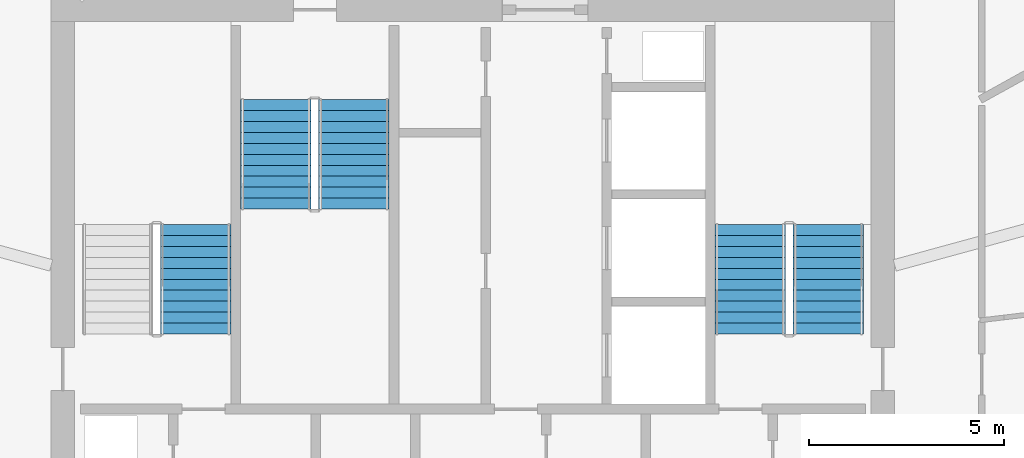
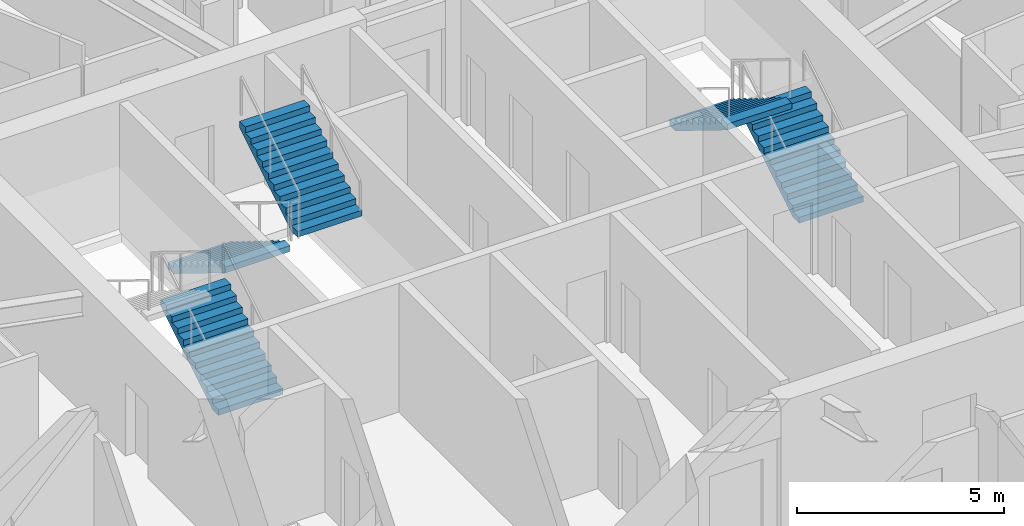
# One storey, part 23 of 26: 5 stair flights, 3 elements without a shape of their own.
"""IFC4 building model written with IfcOpenShell, lengths in metres."""

from ifc_helpers import new_model, si_unit, direction, frame, origin, place, context, subcontext, project, spatial, polyline, outline, extrude, material, type_object, element, aggregate, save


model = new_model("IFC4")

# Units and contexts
model_context = context("Model", 3, precision=1e-05, world=origin(), true_north=direction((0.0, 1.0)))
body_context = subcontext(model_context, "Body", "Model", "MODEL_VIEW")
ifc_project = project(units=[si_unit("LENGTHUNIT", "METRE"), si_unit("AREAUNIT", "SQUARE_METRE"), si_unit("VOLUMEUNIT", "CUBIC_METRE"), si_unit("PLANEANGLEUNIT", "RADIAN"), si_unit("MASSUNIT", "GRAM", prefix="KILO")], contexts=[model_context])

# Site, building, storey
site_placement = place(None, origin())
site = spatial("IfcSite", under=ifc_project, at=site_placement, CompositionType="ELEMENT")
building_placement = place(site_placement, origin())
building = spatial("IfcBuilding", under=site, at=building_placement, Name="Zuhravey Tower", CompositionType="ELEMENT")
storey_placement = place(building_placement, frame((0.0, 0.0, 273.0)))
storey = spatial("IfcBuildingStorey", under=building, at=storey_placement, Name="L69", CompositionType="ELEMENT", Elevation=273.0)

# Stair, stair flight
ifc_material = material(Name="Concrete C40/50", Category="concrete")
stair_type = type_object("IfcStairType", Name="Housing Storey Stair Assembly 3800", PredefinedType="HALF_TURN_STAIR", material=ifc_material)
stair_1_placement = place(storey_placement, origin())
stair_1 = element("IfcStair", 1, at=stair_1_placement, inside=storey, type_object=stair_type, Name="L69 Core Exit Stair ST1", PredefinedType="HALF_TURN_STAIR")
stair_flight_type = type_object("IfcStairFlightType", Name="Housing Storey Stair Flight 3800", PredefinedType="STRAIGHT", material=ifc_material)
stair_flight_1_placement = place(storey_placement, frame((28.89990234375, 33.199951171875, 0.0), z_axis=(0.0, 0.0, 1.0), x_axis=(0.0, 1.0, 0.0)))
stair_flight_1 = element("IfcStairFlight", 2, at=stair_flight_1_placement, type_object=stair_flight_type, Name="ST1 flight 1", NumberOfRisers=11, NumberOfTreads=10, PredefinedType="STRAIGHT", RiserHeight=0.172727273, TreadLength=0.28, context=body_context, shape_type="SweptSolid", body=[
    extrude(outline(polyline([(0.0, 0.0), (0.0, 0.172607421875), (0.280029296875, 0.172607421875), (0.280029296875, 0.345458984375), (0.56005859375, 0.345458984375), (0.56005859375, 0.51806640625), (0.840087890625, 0.51806640625), (0.840087890625, 0.69091796875), (1.1201171875, 0.69091796875), (1.1201171875, 0.863525390625), (1.39990234375, 0.863525390625), (1.39990234375, 1.036376953125), (1.679931640625, 1.036376953125), (1.679931640625, 1.208984375), (1.9599609375, 1.208984375), (1.9599609375, 1.3818359375), (2.239990234375, 1.3818359375), (2.239990234375, 1.554443359375), (2.52001953125, 1.554443359375), (2.52001953125, 1.727294921875), (2.800048828125, 1.727294921875), (2.800048828125, 1.89990234375), (2.800048828125, 1.551025390625), (0.285400390625, 0.0), (0.0, 0.0)])), frame((0.0, 0.89990234375, 0.0), z_axis=(0.0, -1.0, 0.0), x_axis=(1.0, 0.0, 0.0)), (0.0, 0.0, 1.0), 1.800048828125),
])
aggregate(stair_1, [stair_flight_1])

# Stair, stair flights
stair_2_placement = place(storey_placement, origin())
stair_2 = element("IfcStair", 3, at=stair_2_placement, inside=storey, type_object=stair_type, Name="L69 Core Exit Stair ST2", PredefinedType="HALF_TURN_STAIR")
stair_flight_2_placement = place(storey_placement, frame((45.10009765625, 33.199951171875, 0.0), z_axis=(0.0, 0.0, 1.0), x_axis=(0.0, 1.0, 0.0)))
stair_flight_2 = element("IfcStairFlight", 4, at=stair_flight_2_placement, type_object=stair_flight_type, Name="ST2 flight 1", NumberOfRisers=11, NumberOfTreads=10, PredefinedType="STRAIGHT", RiserHeight=0.172727273, TreadLength=0.28, context=body_context, shape_type="SweptSolid", body=[
    extrude(outline(polyline([(0.0, 0.0), (0.0, 0.172607421875), (0.280029296875, 0.172607421875), (0.280029296875, 0.345458984375), (0.56005859375, 0.345458984375), (0.56005859375, 0.51806640625), (0.840087890625, 0.51806640625), (0.840087890625, 0.69091796875), (1.1201171875, 0.69091796875), (1.1201171875, 0.863525390625), (1.39990234375, 0.863525390625), (1.39990234375, 1.036376953125), (1.679931640625, 1.036376953125), (1.679931640625, 1.208984375), (1.9599609375, 1.208984375), (1.9599609375, 1.3818359375), (2.239990234375, 1.3818359375), (2.239990234375, 1.554443359375), (2.52001953125, 1.554443359375), (2.52001953125, 1.727294921875), (2.800048828125, 1.727294921875), (2.800048828125, 1.89990234375), (2.800048828125, 1.551025390625), (0.285400390625, 0.0), (0.0, 0.0)])), frame((0.0, 0.89990234375, 0.0), z_axis=(0.0, -1.0, 0.0), x_axis=(1.0, 0.0, 0.0)), (0.0, 0.0, 1.0), 1.800048828125),
])
stair_flight_3_placement = place(storey_placement, frame((43.10009765625, 36.0, 1.89990234375), z_axis=(0.0, 0.0, 1.0), x_axis=(0.0, -1.0, 0.0)))
stair_flight_3 = element("IfcStairFlight", 5, at=stair_flight_3_placement, type_object=stair_flight_type, Name="ST2 flight 2", NumberOfRisers=11, NumberOfTreads=10, PredefinedType="STRAIGHT", RiserHeight=0.172727273, TreadLength=0.28, context=body_context, shape_type="SweptSolid", body=[
    extrude(outline(polyline([(0.0, 0.0), (0.0, 0.172607421875), (0.280029296875, 0.172607421875), (0.280029296875, 0.345458984375), (0.56005859375, 0.345458984375), (0.56005859375, 0.51806640625), (0.840087890625, 0.51806640625), (0.840087890625, 0.69091796875), (1.1201171875, 0.69091796875), (1.1201171875, 0.863525390625), (1.39990234375, 0.863525390625), (1.39990234375, 1.036376953125), (1.679931640625, 1.036376953125), (1.679931640625, 1.208984375), (1.9599609375, 1.208984375), (1.9599609375, 1.3818359375), (2.239990234375, 1.3818359375), (2.239990234375, 1.554443359375), (2.52001953125, 1.554443359375), (2.52001953125, 1.727294921875), (2.800048828125, 1.727294921875), (2.800048828125, 1.89990234375), (2.800048828125, 1.551025390625), (0.285400390625, 0.0), (0.0, 0.0)])), frame((0.0, 0.89990234375, 0.0), z_axis=(0.0, -1.0, 0.0), x_axis=(1.0, 0.0, 0.0)), (0.0, 0.0, 1.0), 1.800048828125),
])
aggregate(stair_2, [stair_flight_2, stair_flight_3])

stair_3_placement = place(storey_placement, origin())
stair_3 = element("IfcStair", 6, at=stair_3_placement, inside=storey, type_object=stair_type, Name="L69 Core Exit Stair ST3", PredefinedType="HALF_TURN_STAIR")
stair_flight_4_placement = place(storey_placement, frame((30.949951171875, 39.199951171875, 0.0), z_axis=(0.0, 0.0, 1.0), x_axis=(0.0, -1.0, 0.0)))
stair_flight_4 = element("IfcStairFlight", 7, at=stair_flight_4_placement, type_object=stair_flight_type, Name="ST3 flight 1", NumberOfRisers=11, NumberOfTreads=10, PredefinedType="STRAIGHT", RiserHeight=0.172727273, TreadLength=0.28, context=body_context, shape_type="SweptSolid", body=[
    extrude(outline(polyline([(0.0, 0.0), (0.0, 0.172607421875), (0.280029296875, 0.172607421875), (0.280029296875, 0.345458984375), (0.56005859375, 0.345458984375), (0.56005859375, 0.51806640625), (0.840087890625, 0.51806640625), (0.840087890625, 0.69091796875), (1.1201171875, 0.69091796875), (1.1201171875, 0.863525390625), (1.39990234375, 0.863525390625), (1.39990234375, 1.036376953125), (1.679931640625, 1.036376953125), (1.679931640625, 1.208984375), (1.9599609375, 1.208984375), (1.9599609375, 1.3818359375), (2.239990234375, 1.3818359375), (2.239990234375, 1.554443359375), (2.52001953125, 1.554443359375), (2.52001953125, 1.727294921875), (2.800048828125, 1.727294921875), (2.800048828125, 1.89990234375), (2.800048828125, 1.551025390625), (0.285400390625, 0.0), (0.0, 0.0)])), frame((0.0, 0.89990234375, 0.0), z_axis=(0.0, -1.0, 0.0), x_axis=(1.0, 0.0, 0.0)), (0.0, 0.0, 1.0), 1.800048828125),
])
stair_flight_5_placement = place(storey_placement, frame((32.949951171875, 36.39990234375, 1.89990234375), z_axis=(0.0, 0.0, 1.0), x_axis=(0.0, 1.0, 0.0)))
stair_flight_5 = element("IfcStairFlight", 8, at=stair_flight_5_placement, type_object=stair_flight_type, Name="ST3 flight 2", NumberOfRisers=11, NumberOfTreads=10, PredefinedType="STRAIGHT", RiserHeight=0.172727273, TreadLength=0.28, context=body_context, shape_type="SweptSolid", body=[
    extrude(outline(polyline([(0.0, 0.0), (0.0, 0.172607421875), (0.280029296875, 0.172607421875), (0.280029296875, 0.345458984375), (0.56005859375, 0.345458984375), (0.56005859375, 0.51806640625), (0.840087890625, 0.51806640625), (0.840087890625, 0.69091796875), (1.1201171875, 0.69091796875), (1.1201171875, 0.863525390625), (1.39990234375, 0.863525390625), (1.39990234375, 1.036376953125), (1.679931640625, 1.036376953125), (1.679931640625, 1.208984375), (1.9599609375, 1.208984375), (1.9599609375, 1.3818359375), (2.239990234375, 1.3818359375), (2.239990234375, 1.554443359375), (2.52001953125, 1.554443359375), (2.52001953125, 1.727294921875), (2.800048828125, 1.727294921875), (2.800048828125, 1.89990234375), (2.800048828125, 1.551025390625), (0.285400390625, 0.0), (0.0, 0.0)])), frame((0.0, 0.89990234375, 0.0), z_axis=(0.0, -1.0, 0.0), x_axis=(1.0, 0.0, 0.0)), (0.0, 0.0, 1.0), 1.800048828125),
])
aggregate(stair_3, [stair_flight_4, stair_flight_5])

save(model, "model.ifc")
